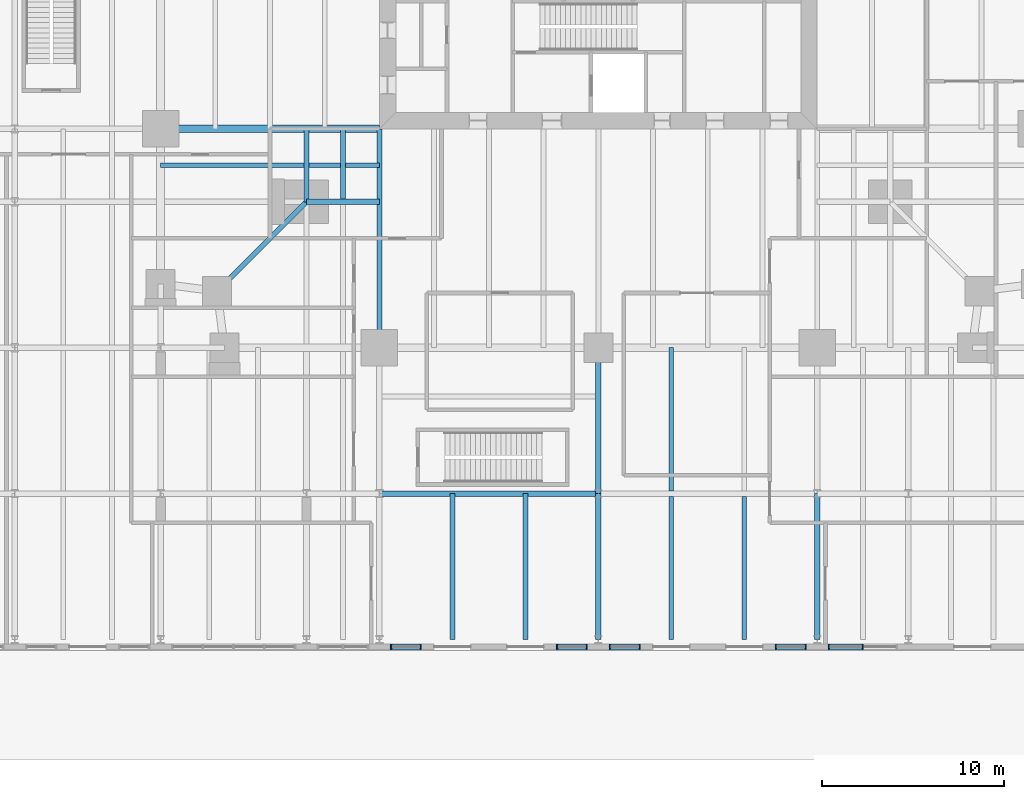
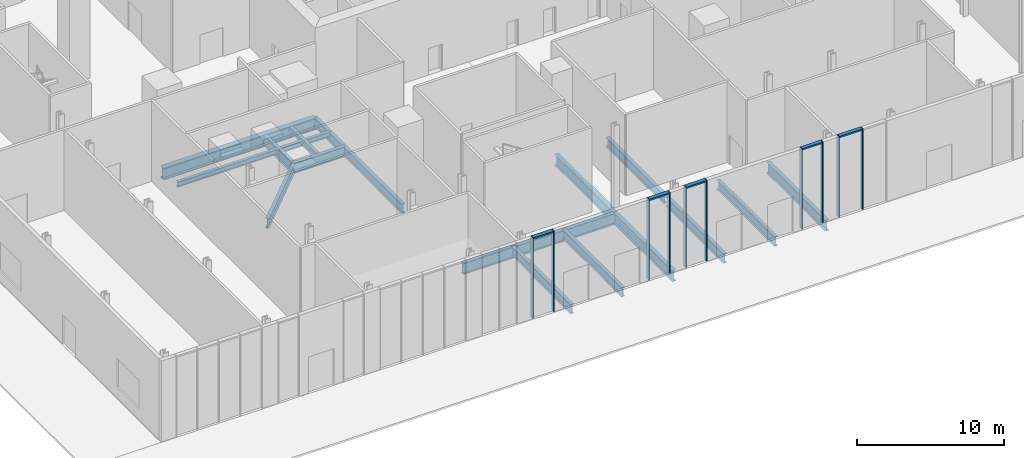
# One storey, part 5 of 20: 18 beams, 15 members, 5 elements without a shape of their own.
"""IFC4 building model written with IfcOpenShell, lengths in metres."""

from ifc_helpers import new_model, si_unit, direction, frame, origin, origin_2d, place, context, subcontext, project, spatial, rectangle, i_section, extrude, material, material_profile, profile_set, type_object, element, aggregate, save


model = new_model("IFC4")

# Units and contexts
model_context = context("Model", 3, precision=1e-05, world=origin(), true_north=direction((0.0, 1.0)))
body_context = subcontext(model_context, "Body", "Model", "MODEL_VIEW")
ifc_project = project(units=[si_unit("LENGTHUNIT", "METRE"), si_unit("AREAUNIT", "SQUARE_METRE"), si_unit("VOLUMEUNIT", "CUBIC_METRE"), si_unit("PLANEANGLEUNIT", "RADIAN"), si_unit("MASSUNIT", "GRAM", prefix="KILO")], contexts=[model_context])

# Site, building, storey
site_placement = place(None, origin())
site = spatial("IfcSite", under=ifc_project, at=site_placement, CompositionType="ELEMENT")
building_placement = place(site_placement, origin())
building = spatial("IfcBuilding", under=site, at=building_placement, Name="Fenwick Lantern Interchange", CompositionType="ELEMENT")
storey_placement = place(building_placement, origin())
storey = spatial("IfcBuildingStorey", under=building, at=storey_placement, Name="L00", CompositionType="ELEMENT", Elevation=0.0)

# Beams
ifc_material_1 = material(Name="Steel ASTM A992 Grade 50", Category="steel")
ifc_material_profile_1 = material_profile(ifc_material_1, i_section(OverallWidth=0.259033203125, OverallDepth=0.4140625, WebThickness=0.010009765625, FlangeThickness=0.016845703125, at=origin_2d()), Name="W16X67")
ifc_profile_set_1 = profile_set([ifc_material_profile_1], Name="Steel ASTM A992 Grade 50")
beam_type_1 = type_object("IfcBeamType", Name="INFILL BEAM W16X67", PredefinedType="JOIST", material=ifc_profile_set_1)
beam_1_placement = place(storey_placement, frame((11.0, 9.14599609375, -0.507080078125), z_axis=(0.0, 1.0, 0.0), x_axis=(-1.0, 0.0, 0.0)))
element("IfcBeam", 1, at=beam_1_placement, inside=storey, type_object=beam_type_1, Name="L00/FR/S/J2", PredefinedType="JOIST", context=body_context, shape_type="SweptSolid", body=[
    extrude(i_section(OverallWidth=0.259033203125, OverallDepth=0.4140625, WebThickness=0.010009765625, FlangeThickness=0.016845703125, at=origin_2d()), origin(), (0.0, 0.0, 1.0), 3.85400390625),
])
beam_2_placement = place(storey_placement, frame((1.0, 11.0, -0.507080078125), z_axis=(1.0, 0.0, 0.0), x_axis=(0.0, 1.0, 0.0)))
element("IfcBeam", 2, at=beam_2_placement, inside=storey, type_object=beam_type_1, Name="L00/FR/S/J3", PredefinedType="JOIST", context=body_context, shape_type="SweptSolid", body=[
    extrude(i_section(OverallWidth=0.259033203125, OverallDepth=0.4140625, WebThickness=0.010009765625, FlangeThickness=0.016845703125, at=origin_2d()), origin(), (0.0, 0.0, 1.0), 7.85400390625),
])
beam_3_placement = place(storey_placement, frame((9.14599609375, 11.0, -0.507080078125), z_axis=(1.0, 0.0, 0.0), x_axis=(0.0, 1.0, 0.0)))
element("IfcBeam", 3, at=beam_3_placement, inside=storey, type_object=beam_type_1, Name="L00/FR/S/J4", PredefinedType="JOIST", context=body_context, shape_type="SweptSolid", body=[
    extrude(i_section(OverallWidth=0.259033203125, OverallDepth=0.4140625, WebThickness=0.010009765625, FlangeThickness=0.016845703125, at=origin_2d()), origin(), (0.0, 0.0, 1.0), 1.724365234375),
])
beam_4_placement = place(storey_placement, frame((11.129638671875, 11.0, -0.507080078125), z_axis=(1.0, 0.0, 0.0), x_axis=(0.0, 1.0, 0.0)))
element("IfcBeam", 4, at=beam_4_placement, inside=storey, type_object=beam_type_1, Name="L00/FR/S/J5", PredefinedType="JOIST", context=body_context, shape_type="SweptSolid", body=[
    extrude(i_section(OverallWidth=0.259033203125, OverallDepth=0.4140625, WebThickness=0.010009765625, FlangeThickness=0.016845703125, at=origin_2d()), origin(), (0.0, 0.0, 1.0), 1.870361328125),
])
ifc_material_profile_2 = material_profile(ifc_material_1, i_section(OverallWidth=0.2919921875, OverallDepth=0.845703125, WebThickness=0.015380859375, FlangeThickness=0.0244140625, at=origin_2d()), Name="W33X141")
ifc_profile_set_2 = profile_set([ifc_material_profile_2], Name="Steel ASTM A992 Grade 50")
beam_type_2 = type_object("IfcBeamType", Name="MEGA COLUMN BEAM W33X141", PredefinedType="BEAM", material=ifc_profile_set_2)
for number, where, z_axis, x_axis, name in (
    (5, (9.0, 9.0, -0.722900390625), (1.0, 0.0, 0.0), (0.0, 1.0, 0.0), "L00/FR/S/MB3"),
    (6, (9.0, 9.0, -0.722900390625), (0.0, 1.0, 0.0), (-1.0, 0.0, 0.0), "L00/FR/S/MB4"),
):
    element("IfcBeam", number, at=place(storey_placement, frame(where, z_axis=z_axis, x_axis=x_axis)), inside=storey, type_object=beam_type_2, Name=name, PredefinedType="BEAM", context=body_context, shape_type="SweptSolid", body=[
        extrude(i_section(OverallWidth=0.2919921875, OverallDepth=0.845703125, WebThickness=0.015380859375, FlangeThickness=0.0244140625, at=origin_2d()), origin(), (0.0, 0.0, 1.0), 4.0),
    ])
ifc_material_profile_3 = material_profile(ifc_material_1, i_section(OverallWidth=0.2666015625, OverallDepth=0.76953125, WebThickness=0.015625, FlangeThickness=0.025390625, at=origin_2d()), Name="W30X132")
ifc_profile_set_3 = profile_set([ifc_material_profile_3], Name="Steel ASTM A992 Grade 50")
beam_type_3 = type_object("IfcBeamType", Name="MOMENT-CONNECTED GIRDER W30X132", PredefinedType="BEAM", material=ifc_profile_set_3)
beam_5_placement = place(storey_placement, frame((13.0, 1.0, -0.684814453125), z_axis=(0.0, 1.0, 0.0), x_axis=(-1.0, 0.0, 0.0)))
element("IfcBeam", 7, at=beam_5_placement, inside=storey, type_object=beam_type_3, Name="L00/FR/S/R01", PredefinedType="BEAM", context=body_context, shape_type="SweptSolid", body=[
    extrude(i_section(OverallWidth=0.2666015625, OverallDepth=0.76953125, WebThickness=0.015625, FlangeThickness=0.025390625, at=origin_2d()), origin(), (0.0, 0.0, 1.0), 12.0),
])
ifc_material_profile_4 = material_profile(ifc_material_1, i_section(OverallWidth=0.4267578125, OverallDepth=0.975341796875, WebThickness=0.031005859375, FlangeThickness=0.055908203125, at=origin_2d()), Name="W36X395")
ifc_profile_set_4 = profile_set([ifc_material_profile_4], Name="Steel ASTM A992 Grade 50")
beam_type_4 = type_object("IfcBeamType", Name="MOMENT-CONNECTED GIRDER W36X395", PredefinedType="BEAM", material=ifc_profile_set_4)
beam_6_placement = place(storey_placement, frame((1.0, 13.0, -0.78759765625), z_axis=(1.0, 0.0, 0.0), x_axis=(0.0, 1.0, 0.0)))
element("IfcBeam", 8, at=beam_6_placement, inside=storey, type_object=beam_type_4, Name="L00/FR/W/R03", PredefinedType="BEAM", context=body_context, shape_type="SweptSolid", body=[
    extrude(i_section(OverallWidth=0.4267578125, OverallDepth=0.975341796875, WebThickness=0.031005859375, FlangeThickness=0.055908203125, at=origin_2d()), origin(), (0.0, 0.0, 1.0), 12.0),
])
ifc_material_profile_5 = material_profile(ifc_material_1, i_section(OverallWidth=0.3046875, OverallDepth=0.911865234375, WebThickness=0.015869140625, FlangeThickness=0.02392578125, at=origin_2d()), Name="W36X150")
ifc_profile_set_5 = profile_set([ifc_material_profile_5], Name="Steel ASTM A992 Grade 50")
beam_type_5 = type_object("IfcBeamType", Name="MOMENT-CONNECTED PODIUM GIRDER W36X150", PredefinedType="BEAM", material=ifc_profile_set_5)
for number, where, z_axis, x_axis, name in (
    (9, (25.0, -15.0, -0.755859375), (0.0, 1.0, 0.0), (-1.0, 0.0, 0.0), "L00/PF/G077"),
    (10, (25.0, -7.0, -0.755859375), (0.0, 1.0, 0.0), (-1.0, 0.0, 0.0), "L00/PF/G078"),
    (11, (37.0, -15.0, -0.755859375), (0.0, 1.0, 0.0), (-1.0, 0.0, 0.0), "L00/PF/G081"),
):
    element("IfcBeam", number, at=place(storey_placement, frame(where, z_axis=z_axis, x_axis=x_axis)), inside=storey, type_object=beam_type_5, Name=name, PredefinedType="BEAM", context=body_context, shape_type="SweptSolid", body=[
        extrude(i_section(OverallWidth=0.3046875, OverallDepth=0.911865234375, WebThickness=0.015869140625, FlangeThickness=0.02392578125, at=origin_2d()), origin(), (0.0, 0.0, 1.0), 8.0),
    ])
ifc_material_profile_6 = material_profile(ifc_material_1, i_section(OverallWidth=0.307373046875, OverallDepth=0.927001953125, WebThickness=0.01953125, FlangeThickness=0.031982421875, at=origin_2d()), Name="W36X194")
ifc_profile_set_6 = profile_set([ifc_material_profile_6], Name="Steel ASTM A992 Grade 50")
beam_type_6 = type_object("IfcBeamType", Name="MOMENT-CONNECTED PODIUM GIRDER W36X194", PredefinedType="BEAM", material=ifc_profile_set_6)
beam_7_placement = place(storey_placement, frame((13.0, -7.0, -0.763671875), z_axis=(1.0, 0.0, 0.0), x_axis=(0.0, 1.0, 0.0)))
element("IfcBeam", 12, at=beam_7_placement, inside=storey, type_object=beam_type_6, Name="L00/PF/G005", PredefinedType="BEAM", context=body_context, shape_type="SweptSolid", body=[
    extrude(i_section(OverallWidth=0.307373046875, OverallDepth=0.927001953125, WebThickness=0.01953125, FlangeThickness=0.031982421875, at=origin_2d()), origin(), (0.0, 0.0, 1.0), 12.0),
])
ifc_material_profile_7 = material_profile(ifc_material_1, i_section(OverallWidth=0.2666015625, OverallDepth=0.77978515625, WebThickness=0.0166015625, FlangeThickness=0.030029296875, at=origin_2d()), Name="W30X148")
ifc_profile_set_7 = profile_set([ifc_material_profile_7], Name="Steel ASTM A992 Grade 50")
beam_type_7 = type_object("IfcBeamType", Name="NOTCH BEAM W30X148", PredefinedType="BEAM", material=ifc_profile_set_7)
beam_8_placement = place(storey_placement, frame((9.0, 9.0, -0.68994140625), z_axis=(-0.707106781187, -0.707106781187, 0.0), x_axis=(0.707106781187, -0.707106781187, 0.0)))
element("IfcBeam", 13, at=beam_8_placement, inside=storey, type_object=beam_type_7, Name="L00/FR/S/TG", PredefinedType="BEAM", context=body_context, shape_type="SweptSolid", body=[
    extrude(i_section(OverallWidth=0.2666015625, OverallDepth=0.77978515625, WebThickness=0.0166015625, FlangeThickness=0.030029296875, at=origin_2d()), origin(), (0.0, 0.0, 1.0), 6.929443359375),
])
ifc_material_profile_8 = material_profile(ifc_material_1, i_section(OverallWidth=0.2666015625, OverallDepth=0.77978515625, WebThickness=0.0166015625, FlangeThickness=0.030029296875, at=origin_2d()), Name="W30X148")
ifc_profile_set_8 = profile_set([ifc_material_profile_8], Name="Steel ASTM A992 Grade 50")
beam_type_8 = type_object("IfcBeamType", Name="PODIUM BEAM W30X148", PredefinedType="JOIST", material=ifc_profile_set_8)
for number, where, z_axis, x_axis, name in (
    (14, (17.0, -15.0, -0.68994140625), (0.0, 1.0, 0.0), (-1.0, 0.0, 0.0), "L00/PF/J155"),
    (15, (21.0, -15.0, -0.68994140625), (0.0, 1.0, 0.0), (-1.0, 0.0, 0.0), "L00/PF/J156"),
):
    element("IfcBeam", number, at=place(storey_placement, frame(where, z_axis=z_axis, x_axis=x_axis)), inside=storey, type_object=beam_type_8, Name=name, PredefinedType="JOIST", context=body_context, shape_type="SweptSolid", body=[
        extrude(i_section(OverallWidth=0.2666015625, OverallDepth=0.77978515625, WebThickness=0.0166015625, FlangeThickness=0.030029296875, at=origin_2d()), origin(), (0.0, 0.0, 1.0), 8.0),
    ])
for number, where, z_axis, x_axis, name in (
    (16, (29.0, -15.0, -0.68994140625), (0.0, 1.0, 0.0), (-1.0, 0.0, 0.0), "L00/PF/J161"),
    (17, (33.0, -15.0, -0.68994140625), (0.0, 1.0, 0.0), (-1.0, 0.0, 0.0), "L00/PF/J162"),
    (18, (29.0, -6.846435546875, -0.68994140625), (0.0, 1.0, 0.0), (-1.0, 0.0, 0.0), "L00/PF/J163"),
):
    element("IfcBeam", number, at=place(storey_placement, frame(where, z_axis=z_axis, x_axis=x_axis)), inside=storey, type_object=beam_type_8, Name=name, PredefinedType="JOIST", context=body_context, shape_type="SweptSolid", body=[
        extrude(i_section(OverallWidth=0.2666015625, OverallDepth=0.77978515625, WebThickness=0.0166015625, FlangeThickness=0.030029296875, at=origin_2d()), origin(), (0.0, 0.0, 1.0), 7.846435546875),
    ])

# Curtain wall, members
ifc_material_2 = material(Name="Aluminium curtain wall frame", Category="aluminium")
curtain_wall_type = type_object("IfcCurtainWallType", Name="STOREFRONT GLAZING", PredefinedType="USERDEFINED", material=ifc_material_2)
curtain_wall_1_placement = place(storey_placement, origin())
curtain_wall_1 = element("IfcCurtainWall", 19, at=curtain_wall_1_placement, inside=storey, type_object=curtain_wall_type, Name="Storefront glazing S06", ObjectType="STOREFRONT GLAZING", PredefinedType="USERDEFINED")
ifc_material_3 = material(Name="Aluminium extrusion", Category="aluminium")
ifc_material_profile_9 = material_profile(ifc_material_3, rectangle(XDim=0.300048828125, YDim=0.06494140625, at=origin_2d()), Name="STOREFRONT GLAZING MULLION 65 X 300")
ifc_profile_set_9 = profile_set([ifc_material_profile_9], Name="Aluminium extrusion")
member_type_1 = type_object("IfcMemberType", Name="STOREFRONT GLAZING MULLION 65 X 300", PredefinedType="MULLION", material=ifc_profile_set_9)
member_1_placement = place(storey_placement, frame((13.632568359375, -15.39990234375, 0.0), z_axis=(0.0, 0.0, 1.0), x_axis=(0.0, 1.0, 0.0)))
member_1 = element("IfcMember", 20, at=member_1_placement, type_object=member_type_1, Name="L00/CW/S06/M00", PredefinedType="MULLION", context=body_context, shape_type="SweptSolid", body=[
    extrude(rectangle(XDim=0.300048828125, YDim=0.06494140625, at=origin_2d()), origin(), (0.0, 0.0, 1.0), 6.699951171875),
])
member_2_placement = place(storey_placement, frame((15.267578125, -15.39990234375, 0.0), z_axis=(0.0, 0.0, 1.0), x_axis=(0.0, 1.0, 0.0)))
member_2 = element("IfcMember", 21, at=member_2_placement, type_object=member_type_1, Name="L00/CW/S06/M01", PredefinedType="MULLION", context=body_context, shape_type="SweptSolid", body=[
    extrude(rectangle(XDim=0.300048828125, YDim=0.06494140625, at=origin_2d()), origin(), (0.0, 0.0, 1.0), 6.699951171875),
])

curtain_wall_2_placement = place(storey_placement, origin())
curtain_wall_2 = element("IfcCurtainWall", 22, at=curtain_wall_2_placement, inside=storey, type_object=curtain_wall_type, Name="Storefront glazing S07", ObjectType="STOREFRONT GLAZING", PredefinedType="USERDEFINED")
member_3_placement = place(storey_placement, frame((22.732421875, -15.39990234375, 0.0), z_axis=(0.0, 0.0, 1.0), x_axis=(0.0, 1.0, 0.0)))
member_3 = element("IfcMember", 23, at=member_3_placement, type_object=member_type_1, Name="L00/CW/S07/M00", PredefinedType="MULLION", context=body_context, shape_type="SweptSolid", body=[
    extrude(rectangle(XDim=0.300048828125, YDim=0.06494140625, at=origin_2d()), origin(), (0.0, 0.0, 1.0), 6.699951171875),
])
member_4_placement = place(storey_placement, frame((24.367431640625, -15.39990234375, 0.0), z_axis=(0.0, 0.0, 1.0), x_axis=(0.0, 1.0, 0.0)))
member_4 = element("IfcMember", 24, at=member_4_placement, type_object=member_type_1, Name="L00/CW/S07/M01", PredefinedType="MULLION", context=body_context, shape_type="SweptSolid", body=[
    extrude(rectangle(XDim=0.300048828125, YDim=0.06494140625, at=origin_2d()), origin(), (0.0, 0.0, 1.0), 6.699951171875),
])

curtain_wall_3_placement = place(storey_placement, origin())
curtain_wall_3 = element("IfcCurtainWall", 25, at=curtain_wall_3_placement, inside=storey, type_object=curtain_wall_type, Name="Storefront glazing S08", ObjectType="STOREFRONT GLAZING", PredefinedType="USERDEFINED")
member_5_placement = place(storey_placement, frame((25.632568359375, -15.39990234375, 0.0), z_axis=(0.0, 0.0, 1.0), x_axis=(0.0, 1.0, 0.0)))
member_5 = element("IfcMember", 26, at=member_5_placement, type_object=member_type_1, Name="L00/CW/S08/M00", PredefinedType="MULLION", context=body_context, shape_type="SweptSolid", body=[
    extrude(rectangle(XDim=0.300048828125, YDim=0.06494140625, at=origin_2d()), origin(), (0.0, 0.0, 1.0), 6.699951171875),
])
member_6_placement = place(storey_placement, frame((27.267578125, -15.39990234375, 0.0), z_axis=(0.0, 0.0, 1.0), x_axis=(0.0, 1.0, 0.0)))
member_6 = element("IfcMember", 27, at=member_6_placement, type_object=member_type_1, Name="L00/CW/S08/M01", PredefinedType="MULLION", context=body_context, shape_type="SweptSolid", body=[
    extrude(rectangle(XDim=0.300048828125, YDim=0.06494140625, at=origin_2d()), origin(), (0.0, 0.0, 1.0), 6.699951171875),
])

curtain_wall_4_placement = place(storey_placement, origin())
curtain_wall_4 = element("IfcCurtainWall", 28, at=curtain_wall_4_placement, inside=storey, type_object=curtain_wall_type, Name="Storefront glazing S09", ObjectType="STOREFRONT GLAZING", PredefinedType="USERDEFINED")
member_7_placement = place(storey_placement, frame((34.732421875, -15.39990234375, 0.0), z_axis=(0.0, 0.0, 1.0), x_axis=(0.0, 1.0, 0.0)))
member_7 = element("IfcMember", 29, at=member_7_placement, type_object=member_type_1, Name="L00/CW/S09/M00", PredefinedType="MULLION", context=body_context, shape_type="SweptSolid", body=[
    extrude(rectangle(XDim=0.300048828125, YDim=0.06494140625, at=origin_2d()), origin(), (0.0, 0.0, 1.0), 6.699951171875),
])
member_8_placement = place(storey_placement, frame((36.367431640625, -15.39990234375, 0.0), z_axis=(0.0, 0.0, 1.0), x_axis=(0.0, 1.0, 0.0)))
member_8 = element("IfcMember", 30, at=member_8_placement, type_object=member_type_1, Name="L00/CW/S09/M01", PredefinedType="MULLION", context=body_context, shape_type="SweptSolid", body=[
    extrude(rectangle(XDim=0.300048828125, YDim=0.06494140625, at=origin_2d()), origin(), (0.0, 0.0, 1.0), 6.699951171875),
])

curtain_wall_5_placement = place(storey_placement, origin())
curtain_wall_5 = element("IfcCurtainWall", 31, at=curtain_wall_5_placement, inside=storey, type_object=curtain_wall_type, Name="Storefront glazing S10", ObjectType="STOREFRONT GLAZING", PredefinedType="USERDEFINED")
member_9_placement = place(storey_placement, frame((37.632568359375, -15.39990234375, 0.0), z_axis=(0.0, 0.0, 1.0), x_axis=(0.0, 1.0, 0.0)))
member_9 = element("IfcMember", 32, at=member_9_placement, type_object=member_type_1, Name="L00/CW/S10/M00", PredefinedType="MULLION", context=body_context, shape_type="SweptSolid", body=[
    extrude(rectangle(XDim=0.300048828125, YDim=0.06494140625, at=origin_2d()), origin(), (0.0, 0.0, 1.0), 6.699951171875),
])
member_10_placement = place(storey_placement, frame((39.5, -15.39990234375, 0.0), z_axis=(0.0, 0.0, 1.0), x_axis=(0.0, 1.0, 0.0)))
member_10 = element("IfcMember", 33, at=member_10_placement, type_object=member_type_1, Name="L00/CW/S10/M01", PredefinedType="MULLION", context=body_context, shape_type="SweptSolid", body=[
    extrude(rectangle(XDim=0.300048828125, YDim=0.06494140625, at=origin_2d()), origin(), (0.0, 0.0, 1.0), 6.699951171875),
])

# Member
ifc_material_profile_10 = material_profile(ifc_material_3, rectangle(XDim=0.300048828125, YDim=0.1201171875, at=origin_2d()), Name="STOREFRONT GLAZING TRANSOM 120 X 300")
ifc_profile_set_10 = profile_set([ifc_material_profile_10], Name="Aluminium extrusion")
member_type_2 = type_object("IfcMemberType", Name="STOREFRONT GLAZING TRANSOM 120 X 300", PredefinedType="MULLION", material=ifc_profile_set_10)
member_11_placement = place(storey_placement, frame((13.6650390625, -15.39990234375, 6.639892578125), z_axis=(1.0, 0.0, 0.0), x_axis=(0.0, 1.0, 0.0)))
member_11 = element("IfcMember", 34, at=member_11_placement, type_object=member_type_2, Name="L00/CW/S06/T00", PredefinedType="MULLION", context=body_context, shape_type="SweptSolid", body=[
    extrude(rectangle(XDim=0.300048828125, YDim=0.1201171875, at=origin_2d()), origin(), (0.0, 0.0, 1.0), 1.570068359375),
])

aggregate(curtain_wall_1, [member_1, member_2, member_11])

member_12_placement = place(storey_placement, frame((22.764892578125, -15.39990234375, 6.639892578125), z_axis=(1.0, 0.0, 0.0), x_axis=(0.0, 1.0, 0.0)))
member_12 = element("IfcMember", 35, at=member_12_placement, type_object=member_type_2, Name="L00/CW/S07/T00", PredefinedType="MULLION", context=body_context, shape_type="SweptSolid", body=[
    extrude(rectangle(XDim=0.300048828125, YDim=0.1201171875, at=origin_2d()), origin(), (0.0, 0.0, 1.0), 1.570068359375),
])

aggregate(curtain_wall_2, [member_3, member_4, member_12])

member_13_placement = place(storey_placement, frame((25.6650390625, -15.39990234375, 6.639892578125), z_axis=(1.0, 0.0, 0.0), x_axis=(0.0, 1.0, 0.0)))
member_13 = element("IfcMember", 36, at=member_13_placement, type_object=member_type_2, Name="L00/CW/S08/T00", PredefinedType="MULLION", context=body_context, shape_type="SweptSolid", body=[
    extrude(rectangle(XDim=0.300048828125, YDim=0.1201171875, at=origin_2d()), origin(), (0.0, 0.0, 1.0), 1.570068359375),
])

aggregate(curtain_wall_3, [member_5, member_6, member_13])

member_14_placement = place(storey_placement, frame((34.764892578125, -15.39990234375, 6.639892578125), z_axis=(1.0, 0.0, 0.0), x_axis=(0.0, 1.0, 0.0)))
member_14 = element("IfcMember", 37, at=member_14_placement, type_object=member_type_2, Name="L00/CW/S09/T00", PredefinedType="MULLION", context=body_context, shape_type="SweptSolid", body=[
    extrude(rectangle(XDim=0.300048828125, YDim=0.1201171875, at=origin_2d()), origin(), (0.0, 0.0, 1.0), 1.570068359375),
])

aggregate(curtain_wall_4, [member_7, member_8, member_14])

member_15_placement = place(storey_placement, frame((37.6650390625, -15.39990234375, 6.639892578125), z_axis=(1.0, 0.0, 0.0), x_axis=(0.0, 1.0, 0.0)))
member_15 = element("IfcMember", 38, at=member_15_placement, type_object=member_type_2, Name="L00/CW/S10/T00", PredefinedType="MULLION", context=body_context, shape_type="SweptSolid", body=[
    extrude(rectangle(XDim=0.300048828125, YDim=0.1201171875, at=origin_2d()), origin(), (0.0, 0.0, 1.0), 1.802490234375),
])

aggregate(curtain_wall_5, [member_9, member_10, member_15])

save(model, "model.ifc")
